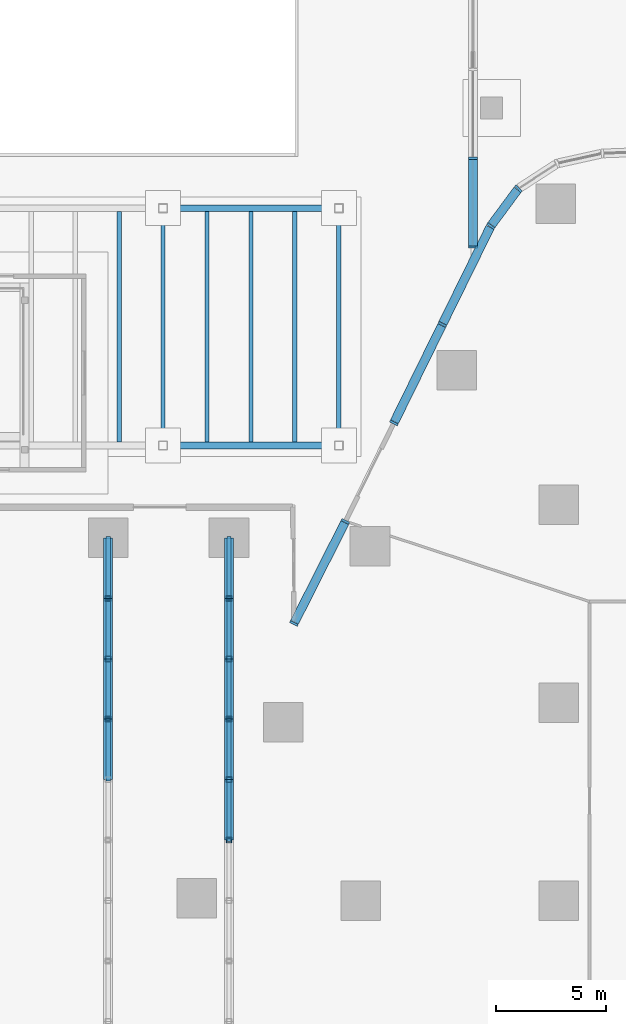
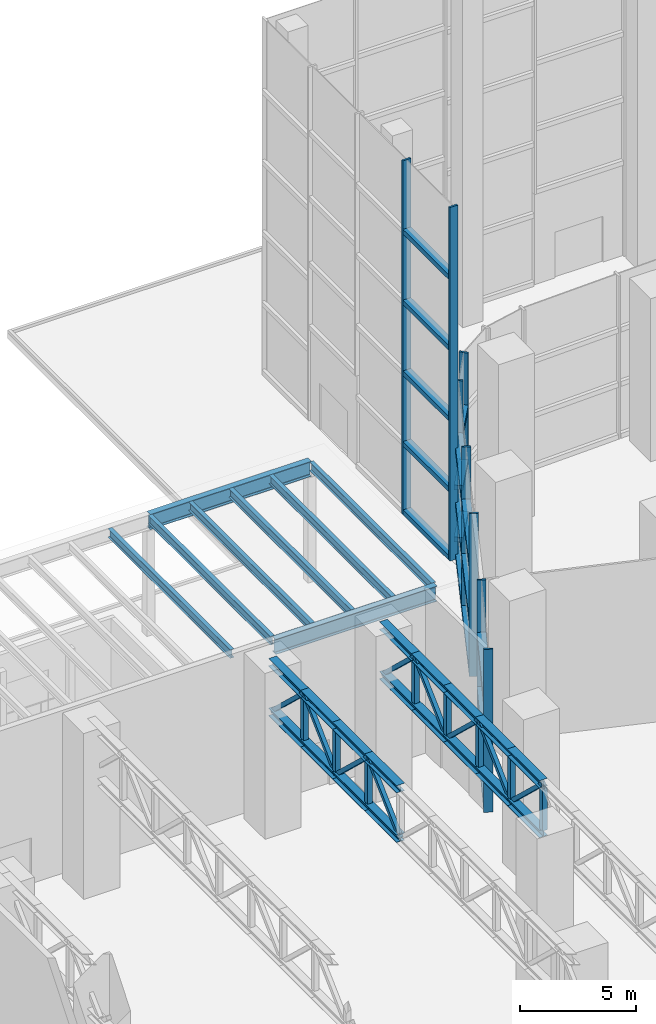
# One storey, part 15 of 40: 60 members, 8 beams, 4 elements without a shape of their own.
"""IFC4 building model written with IfcOpenShell, lengths in metres."""

from ifc_helpers import new_model, si_unit, direction, frame, origin, origin_2d, place, context, subcontext, project, spatial, rectangle, hollow_rectangle, i_section, extrude, material, layer, layer_set, material_profile, profile_set, type_object, element, aggregate, save


model = new_model("IFC4")

# Units and contexts
model_context = context("Model", 3, precision=1e-05, world=origin(), true_north=direction((0.0, 1.0)))
body_context = subcontext(model_context, "Body", "Model", "MODEL_VIEW")
ifc_project = project(units=[si_unit("LENGTHUNIT", "METRE"), si_unit("AREAUNIT", "SQUARE_METRE"), si_unit("VOLUMEUNIT", "CUBIC_METRE"), si_unit("PLANEANGLEUNIT", "RADIAN"), si_unit("MASSUNIT", "GRAM", prefix="KILO")], contexts=[model_context])

# Site, building, storey
site_placement = place(None, origin())
site = spatial("IfcSite", under=ifc_project, at=site_placement, CompositionType="ELEMENT")
building_placement = place(site_placement, origin())
building = spatial("IfcBuilding", under=site, at=building_placement, Name="Dongbaek Canopy Tower", CompositionType="ELEMENT")
storey_placement = place(building_placement, origin())
storey = spatial("IfcBuildingStorey", under=building, at=storey_placement, Name="L00", CompositionType="ELEMENT", Elevation=0.0)

# Members
ifc_material_1 = material(Name="Steel S355", Category="steel")
ifc_material_profile_1 = material_profile(ifc_material_1, hollow_rectangle(XDim=0.199951171875, YDim=0.199951171875, WallThickness=0.009033203125, at=origin_2d()), Name="BRACE SHS 200x200x9 Steel S355")
ifc_profile_set_1 = profile_set([ifc_material_profile_1], Name="Steel S355")
member_type_1 = type_object("IfcMemberType", Name="BRACE SHS 200x200x9 Steel S355", PredefinedType="BRACE", material=ifc_profile_set_1)
for number, where, z_axis, x_axis, name in (
    (1, (-38.5, 5.5, 5.89990234375), (0.0, 0.726633772729, 0.687025007063), (-1.0, 0.0, 0.0), "ROOFTRUSS:WW:2:D8"),
    (2, (-38.5, 8.25, 8.5), (0.0, 0.726633772729, -0.687025007063), (-1.0, 0.0, 0.0), "ROOFTRUSS:WW:2:D9"),
    (3, (-38.5, 11.0, 5.89990234375), (0.0, 0.726633772729, 0.687025007063), (-1.0, 0.0, 0.0), "ROOFTRUSS:WW:2:D10"),
    (4, (-38.5, 13.75, 8.5), (0.0, 0.726633772729, -0.687025007063), (-1.0, 0.0, 0.0), "ROOFTRUSS:WW:2:D11"),
    (5, (-33.0, 2.75, 8.5), (0.0, 0.726633772729, -0.687025007063), (-1.0, 0.0, 0.0), "ROOFTRUSS:WW:3:D7"),
    (6, (-33.0, 5.5, 5.89990234375), (0.0, 0.726633772729, 0.687025007063), (-1.0, 0.0, 0.0), "ROOFTRUSS:WW:3:D8"),
    (7, (-33.0, 8.25, 8.5), (0.0, 0.726633772729, -0.687025007063), (-1.0, 0.0, 0.0), "ROOFTRUSS:WW:3:D9"),
    (8, (-33.0, 11.0, 5.89990234375), (0.0, 0.726633772729, 0.687025007063), (-1.0, 0.0, 0.0), "ROOFTRUSS:WW:3:D10"),
    (9, (-33.0, 13.75, 8.5), (0.0, 0.726633772729, -0.687025007063), (-1.0, 0.0, 0.0), "ROOFTRUSS:WW:3:D11"),
):
    element("IfcMember", number, at=place(storey_placement, frame(where, z_axis=z_axis, x_axis=x_axis)), inside=storey, type_object=member_type_1, Name=name, PredefinedType="BRACE", context=body_context, shape_type="SweptSolid", body=[
        extrude(hollow_rectangle(XDim=0.199951171875, YDim=0.199951171875, WallThickness=0.009033203125, at=origin_2d()), origin(), (0.0, 0.0, 1.0), 3.78466796875),
    ])
ifc_material_2 = material(Name="Steel S355", Category="steel")
ifc_material_profile_2 = material_profile(ifc_material_2, i_section(OverallWidth=0.39990234375, OverallDepth=0.39990234375, WebThickness=0.012939453125, FlangeThickness=0.02099609375, FilletRadius=0.02197265625, at=origin_2d()), Name="CHORD H 400x400x13x21 Steel S355")
ifc_profile_set_2 = profile_set([ifc_material_profile_2], Name="Steel S355")
member_type_2 = type_object("IfcMemberType", Name="CHORD H 400x400x13x21 Steel S355", PredefinedType="CHORD", material=ifc_profile_set_2)
for number, where, z_axis, x_axis, name in (
    (10, (-38.5, 5.5, 5.89990234375), (0.0, 1.0, 0.0), (-1.0, 0.0, 0.0), "ROOFTRUSS:WW:2:CB8"),
    (11, (-38.5, 5.5, 8.5), (0.0, 1.0, 0.0), (-1.0, 0.0, 0.0), "ROOFTRUSS:WW:2:CT8"),
    (12, (-38.5, 8.25, 5.89990234375), (0.0, 1.0, 0.0), (-1.0, 0.0, 0.0), "ROOFTRUSS:WW:2:CB9"),
    (13, (-38.5, 8.25, 8.5), (0.0, 1.0, 0.0), (-1.0, 0.0, 0.0), "ROOFTRUSS:WW:2:CT9"),
    (14, (-38.5, 11.0, 5.89990234375), (0.0, 1.0, 0.0), (-1.0, 0.0, 0.0), "ROOFTRUSS:WW:2:CB10"),
    (15, (-38.5, 11.0, 8.5), (0.0, 1.0, 0.0), (-1.0, 0.0, 0.0), "ROOFTRUSS:WW:2:CT10"),
    (16, (-38.5, 13.75, 5.89990234375), (0.0, 1.0, 0.0), (-1.0, 0.0, 0.0), "ROOFTRUSS:WW:2:CB11"),
    (17, (-38.5, 13.75, 8.5), (0.0, 1.0, 0.0), (-1.0, 0.0, 0.0), "ROOFTRUSS:WW:2:CT11"),
    (18, (-33.0, 2.75, 5.89990234375), (0.0, 1.0, 0.0), (-1.0, 0.0, 0.0), "ROOFTRUSS:WW:3:CB7"),
    (19, (-33.0, 2.75, 8.5), (0.0, 1.0, 0.0), (-1.0, 0.0, 0.0), "ROOFTRUSS:WW:3:CT7"),
    (20, (-33.0, 5.5, 5.89990234375), (0.0, 1.0, 0.0), (-1.0, 0.0, 0.0), "ROOFTRUSS:WW:3:CB8"),
    (21, (-33.0, 5.5, 8.5), (0.0, 1.0, 0.0), (-1.0, 0.0, 0.0), "ROOFTRUSS:WW:3:CT8"),
    (22, (-33.0, 8.25, 5.89990234375), (0.0, 1.0, 0.0), (-1.0, 0.0, 0.0), "ROOFTRUSS:WW:3:CB9"),
    (23, (-33.0, 8.25, 8.5), (0.0, 1.0, 0.0), (-1.0, 0.0, 0.0), "ROOFTRUSS:WW:3:CT9"),
    (24, (-33.0, 11.0, 5.89990234375), (0.0, 1.0, 0.0), (-1.0, 0.0, 0.0), "ROOFTRUSS:WW:3:CB10"),
    (25, (-33.0, 11.0, 8.5), (0.0, 1.0, 0.0), (-1.0, 0.0, 0.0), "ROOFTRUSS:WW:3:CT10"),
    (26, (-33.0, 13.75, 5.89990234375), (0.0, 1.0, 0.0), (-1.0, 0.0, 0.0), "ROOFTRUSS:WW:3:CB11"),
    (27, (-33.0, 13.75, 8.5), (0.0, 1.0, 0.0), (-1.0, 0.0, 0.0), "ROOFTRUSS:WW:3:CT11"),
):
    element("IfcMember", number, at=place(storey_placement, frame(where, z_axis=z_axis, x_axis=x_axis)), inside=storey, type_object=member_type_2, Name=name, PredefinedType="CHORD", context=body_context, shape_type="SweptSolid", body=[
        extrude(i_section(OverallWidth=0.39990234375, OverallDepth=0.39990234375, WebThickness=0.012939453125, FlangeThickness=0.02099609375, FilletRadius=0.02197265625, at=origin_2d()), origin(), (0.0, 0.0, 1.0), 2.75),
    ])

# Curtain wall, members
ifc_material_3 = material(Name="Aluminium 6063-T6 pale anodised", Category="aluminium")
ifc_layer = layer(ifc_material_3, 0.39990234375)
ifc_layer_set = layer_set([ifc_layer], Name="CW-3 lobby double-height curtain wall")
curtain_wall_type = type_object("IfcCurtainWallType", Name="CW-3 lobby double-height curtain wall", PredefinedType="NOTDEFINED", material=ifc_layer_set)
curtain_wall_1_placement = place(storey_placement, origin())
curtain_wall_1 = element("IfcCurtainWall", 28, at=curtain_wall_1_placement, inside=storey, type_object=curtain_wall_type, Name="CW-3 curtain wall K2.1", PredefinedType="NOTDEFINED")
ifc_material_4 = material(Name="Aluminium 6063-T6 pale anodised", Category="aluminium")
ifc_material_profile_3 = material_profile(ifc_material_4, rectangle(XDim=0.39990234375, YDim=0.10009765625, at=origin_2d()), Name="CW-3 mullion 100 x 400")
ifc_profile_set_3 = profile_set([ifc_material_profile_3], Name="Aluminium 6063-T6 pale anodised")
member_type_3 = type_object("IfcMemberType", Name="CW-3 mullion 100 x 400", PredefinedType="MULLION", material=ifc_profile_set_3)
member_1_placement = place(storey_placement, frame((-19.838134765625, 32.384033203125, 0.0), z_axis=(0.0, 0.0, 1.0), x_axis=(-0.685445734799, 0.728123715207, 0.0)))
member_1 = element("IfcMember", 29, at=member_1_placement, type_object=member_type_3, Name="CW-3 mullion K2.1.3", PredefinedType="MULLION", context=body_context, shape_type="SweptSolid", body=[
    extrude(rectangle(XDim=0.39990234375, YDim=0.10009765625, at=origin_2d()), origin(), (0.0, 0.0, 1.0), 8.550048828125),
])
member_2_placement = place(storey_placement, frame((-21.093505859375, 30.685302734375, 0.0), z_axis=(0.0, 0.0, 1.0), x_axis=(-0.804277971373, 0.594253266515, 0.0)))
member_2 = element("IfcMember", 30, at=member_2_placement, type_object=member_type_3, Name="CW-3 mullion K2.1.4", PredefinedType="MULLION", context=body_context, shape_type="SweptSolid", body=[
    extrude(rectangle(XDim=0.39990234375, YDim=0.10009765625, at=origin_2d()), origin(), (0.0, 0.0, 1.0), 8.550048828125),
])

curtain_wall_2_placement = place(storey_placement, origin())
curtain_wall_2 = element("IfcCurtainWall", 31, at=curtain_wall_2_placement, inside=storey, type_object=curtain_wall_type, Name="CW-3 curtain wall F7.1", PredefinedType="NOTDEFINED")
member_3_placement = place(storey_placement, frame((-23.294677734375, 26.209716796875, 0.0), z_axis=(0.0, 0.0, 1.0), x_axis=(-0.897339169619, 0.441341607677, 0.0)))
member_3 = element("IfcMember", 32, at=member_3_placement, type_object=member_type_3, Name="CW-3 mullion F7.1.2", PredefinedType="MULLION", context=body_context, shape_type="SweptSolid", body=[
    extrude(rectangle(XDim=0.39990234375, YDim=0.10009765625, at=origin_2d()), origin(), (0.0, 0.0, 1.0), 8.550048828125),
])
member_4_placement = place(storey_placement, frame((-25.499755859375, 21.72607421875, 0.0), z_axis=(0.0, 0.0, 1.0), x_axis=(-0.897339169619, 0.441341607677, 0.0)))
member_4 = element("IfcMember", 33, at=member_4_placement, type_object=member_type_3, Name="CW-3 mullion F7.1.3", PredefinedType="MULLION", context=body_context, shape_type="SweptSolid", body=[
    extrude(rectangle(XDim=0.39990234375, YDim=0.10009765625, at=origin_2d()), origin(), (0.0, 0.0, 1.0), 8.550048828125),
])

curtain_wall_3_placement = place(storey_placement, origin())
curtain_wall_3 = element("IfcCurtainWall", 34, at=curtain_wall_3_placement, inside=storey, type_object=curtain_wall_type, Name="CW-3 curtain wall F7.2", PredefinedType="NOTDEFINED")
member_5_placement = place(storey_placement, frame((-27.705078125, 17.242431640625, 0.0), z_axis=(0.0, 0.0, 1.0), x_axis=(-0.892640437575, 0.450769396927, 0.0)))
member_5 = element("IfcMember", 35, at=member_5_placement, type_object=member_type_3, Name="CW-3 mullion F7.2.1", PredefinedType="MULLION", context=body_context, shape_type="SweptSolid", body=[
    extrude(rectangle(XDim=0.39990234375, YDim=0.10009765625, at=origin_2d()), origin(), (0.0, 0.0, 1.0), 8.550048828125),
])
member_6_placement = place(storey_placement, frame((-30.04541015625, 12.608154296875, 0.0), z_axis=(0.0, 0.0, 1.0), x_axis=(-0.892640437575, 0.450769396927, 0.0)))
member_6 = element("IfcMember", 36, at=member_6_placement, type_object=member_type_3, Name="CW-3 mullion F7.2.2", PredefinedType="MULLION", context=body_context, shape_type="SweptSolid", body=[
    extrude(rectangle(XDim=0.39990234375, YDim=0.10009765625, at=origin_2d()), origin(), (0.0, 0.0, 1.0), 8.550048828125),
])

curtain_wall_4_placement = place(storey_placement, origin())
curtain_wall_4 = element("IfcCurtainWall", 37, at=curtain_wall_4_placement, inside=storey, type_object=curtain_wall_type, Name="CW-3 curtain wall HNW.2", PredefinedType="NOTDEFINED")
member_7_placement = place(storey_placement, frame((-21.89990234375, 33.768798828125, 0.0), z_axis=(0.0, 0.0, 1.0), x_axis=(-1.0, 0.0, 0.0)))
member_7 = element("IfcMember", 38, at=member_7_placement, type_object=member_type_3, Name="CW-3 mullion HNW.2.2", PredefinedType="MULLION", context=body_context, shape_type="SweptSolid", body=[
    extrude(rectangle(XDim=0.39990234375, YDim=0.10009765625, at=origin_2d()), origin(), (0.0, 0.0, 1.0), 18.550048828125),
])
member_8_placement = place(storey_placement, frame((-21.89990234375, 29.72509765625, 0.0), z_axis=(0.0, 0.0, 1.0), x_axis=(-1.0, 0.0, 0.0)))
member_8 = element("IfcMember", 39, at=member_8_placement, type_object=member_type_3, Name="CW-3 mullion HNW.2.3", PredefinedType="MULLION", context=body_context, shape_type="SweptSolid", body=[
    extrude(rectangle(XDim=0.39990234375, YDim=0.10009765625, at=origin_2d()), origin(), (0.0, 0.0, 1.0), 18.550048828125),
])

# Member
ifc_material_5 = material(Name="Aluminium 6063-T6 pale anodised", Category="aluminium")
ifc_material_profile_4 = material_profile(ifc_material_5, rectangle(XDim=0.39990234375, YDim=0.25, at=origin_2d()), Name="CW-3 transom 250 x 400")
ifc_profile_set_4 = profile_set([ifc_material_profile_4], Name="Aluminium 6063-T6 pale anodised")
member_type_4 = type_object("IfcMemberType", Name="CW-3 transom 250 x 400", PredefinedType="USERDEFINED", material=ifc_profile_set_4)
member_9_placement = place(storey_placement, frame((-19.875, 32.334228515625, 0.125), z_axis=(-0.594287483046, -0.804252688833, 0.0), x_axis=(0.804252688833, -0.594287483046, 0.0)))
member_9 = element("IfcMember", 40, at=member_9_placement, type_object=member_type_4, Name="CW-3 transom K2.1.3.1", ObjectType="TRANSOM", PredefinedType="USERDEFINED", context=body_context, shape_type="SweptSolid", body=[
    extrude(rectangle(XDim=0.39990234375, YDim=0.25, at=origin_2d()), origin(), (0.0, 0.0, 1.0), 1.98828125),
])

member_10_placement = place(storey_placement, frame((-19.875, 32.334228515625, 2.85009765625), z_axis=(-0.594287483046, -0.804252688833, 0.0), x_axis=(0.804252688833, -0.594287483046, 0.0)))
member_10 = element("IfcMember", 41, at=member_10_placement, type_object=member_type_4, Name="CW-3 transom K2.1.3.2", ObjectType="TRANSOM", PredefinedType="USERDEFINED", context=body_context, shape_type="SweptSolid", body=[
    extrude(rectangle(XDim=0.39990234375, YDim=0.25, at=origin_2d()), origin(), (0.0, 0.0, 1.0), 1.98828125),
])

member_11_placement = place(storey_placement, frame((-19.875, 32.334228515625, 5.699951171875), z_axis=(-0.594287483046, -0.804252688833, 0.0), x_axis=(0.804252688833, -0.594287483046, 0.0)))
member_11 = element("IfcMember", 42, at=member_11_placement, type_object=member_type_4, Name="CW-3 transom K2.1.3.3", ObjectType="TRANSOM", PredefinedType="USERDEFINED", context=body_context, shape_type="SweptSolid", body=[
    extrude(rectangle(XDim=0.39990234375, YDim=0.25, at=origin_2d()), origin(), (0.0, 0.0, 1.0), 1.98828125),
])

aggregate(curtain_wall_1, [member_1, member_2, member_9, member_10, member_11])

member_12_placement = place(storey_placement, frame((-21.120849609375, 30.629638671875, 0.125), z_axis=(-0.441340859957, -0.897339537373, 0.0), x_axis=(0.897339537373, -0.441340859957, 0.0)))
member_12 = element("IfcMember", 43, at=member_12_placement, type_object=member_type_4, Name="CW-3 transom F7.1.1.1", ObjectType="TRANSOM", PredefinedType="USERDEFINED", context=body_context, shape_type="SweptSolid", body=[
    extrude(rectangle(XDim=0.39990234375, YDim=0.25, at=origin_2d()), origin(), (0.0, 0.0, 1.0), 4.863525390625),
])

member_13_placement = place(storey_placement, frame((-21.120849609375, 30.629638671875, 2.85009765625), z_axis=(-0.441340859957, -0.897339537373, 0.0), x_axis=(0.897339537373, -0.441340859957, 0.0)))
member_13 = element("IfcMember", 44, at=member_13_placement, type_object=member_type_4, Name="CW-3 transom F7.1.1.2", ObjectType="TRANSOM", PredefinedType="USERDEFINED", context=body_context, shape_type="SweptSolid", body=[
    extrude(rectangle(XDim=0.39990234375, YDim=0.25, at=origin_2d()), origin(), (0.0, 0.0, 1.0), 4.863525390625),
])

member_14_placement = place(storey_placement, frame((-21.120849609375, 30.629638671875, 5.699951171875), z_axis=(-0.441340859957, -0.897339537373, 0.0), x_axis=(0.897339537373, -0.441340859957, 0.0)))
member_14 = element("IfcMember", 45, at=member_14_placement, type_object=member_type_4, Name="CW-3 transom F7.1.1.3", ObjectType="TRANSOM", PredefinedType="USERDEFINED", context=body_context, shape_type="SweptSolid", body=[
    extrude(rectangle(XDim=0.39990234375, YDim=0.25, at=origin_2d()), origin(), (0.0, 0.0, 1.0), 4.863525390625),
])

member_15_placement = place(storey_placement, frame((-23.322021484375, 26.154052734375, 0.125), z_axis=(-0.441331561106, -0.897344110791, 0.0), x_axis=(0.897344110791, -0.441331561106, 0.0)))
member_15 = element("IfcMember", 46, at=member_15_placement, type_object=member_type_4, Name="CW-3 transom F7.1.2.1", ObjectType="TRANSOM", PredefinedType="USERDEFINED", context=body_context, shape_type="SweptSolid", body=[
    extrude(rectangle(XDim=0.39990234375, YDim=0.25, at=origin_2d()), origin(), (0.0, 0.0, 1.0), 4.87255859375),
])

member_16_placement = place(storey_placement, frame((-23.322021484375, 26.154052734375, 2.85009765625), z_axis=(-0.441331561106, -0.897344110791, 0.0), x_axis=(0.897344110791, -0.441331561106, 0.0)))
member_16 = element("IfcMember", 47, at=member_16_placement, type_object=member_type_4, Name="CW-3 transom F7.1.2.2", ObjectType="TRANSOM", PredefinedType="USERDEFINED", context=body_context, shape_type="SweptSolid", body=[
    extrude(rectangle(XDim=0.39990234375, YDim=0.25, at=origin_2d()), origin(), (0.0, 0.0, 1.0), 4.87255859375),
])

member_17_placement = place(storey_placement, frame((-23.322021484375, 26.154052734375, 5.699951171875), z_axis=(-0.441331561106, -0.897344110791, 0.0), x_axis=(0.897344110791, -0.441331561106, 0.0)))
member_17 = element("IfcMember", 48, at=member_17_placement, type_object=member_type_4, Name="CW-3 transom F7.1.2.3", ObjectType="TRANSOM", PredefinedType="USERDEFINED", context=body_context, shape_type="SweptSolid", body=[
    extrude(rectangle(XDim=0.39990234375, YDim=0.25, at=origin_2d()), origin(), (0.0, 0.0, 1.0), 4.87255859375),
])

aggregate(curtain_wall_2, [member_3, member_4, member_12, member_13, member_14, member_15, member_16, member_17])

member_18_placement = place(storey_placement, frame((-27.73291015625, 17.18701171875, 0.125), z_axis=(-0.450775005328, -0.892637605399, 0.0), x_axis=(0.892637605399, -0.450775005328, 0.0)))
member_18 = element("IfcMember", 49, at=member_18_placement, type_object=member_type_4, Name="CW-3 transom F7.2.1.1", ObjectType="TRANSOM", PredefinedType="USERDEFINED", context=body_context, shape_type="SweptSolid", body=[
    extrude(rectangle(XDim=0.39990234375, YDim=0.25, at=origin_2d()), origin(), (0.0, 0.0, 1.0), 5.06787109375),
])

member_19_placement = place(storey_placement, frame((-27.73291015625, 17.18701171875, 2.85009765625), z_axis=(-0.450775005328, -0.892637605399, 0.0), x_axis=(0.892637605399, -0.450775005328, 0.0)))
member_19 = element("IfcMember", 50, at=member_19_placement, type_object=member_type_4, Name="CW-3 transom F7.2.1.2", ObjectType="TRANSOM", PredefinedType="USERDEFINED", context=body_context, shape_type="SweptSolid", body=[
    extrude(rectangle(XDim=0.39990234375, YDim=0.25, at=origin_2d()), origin(), (0.0, 0.0, 1.0), 5.06787109375),
])

member_20_placement = place(storey_placement, frame((-27.73291015625, 17.18701171875, 5.699951171875), z_axis=(-0.450775005328, -0.892637605399, 0.0), x_axis=(0.892637605399, -0.450775005328, 0.0)))
member_20 = element("IfcMember", 51, at=member_20_placement, type_object=member_type_4, Name="CW-3 transom F7.2.1.3", ObjectType="TRANSOM", PredefinedType="USERDEFINED", context=body_context, shape_type="SweptSolid", body=[
    extrude(rectangle(XDim=0.39990234375, YDim=0.25, at=origin_2d()), origin(), (0.0, 0.0, 1.0), 5.06787109375),
])

aggregate(curtain_wall_3, [member_5, member_6, member_18, member_19, member_20])

member_21_placement = place(storey_placement, frame((-21.89990234375, 33.706787109375, 0.125), z_axis=(0.0, -1.0, 0.0), x_axis=(1.0, 0.0, 0.0)))
member_21 = element("IfcMember", 52, at=member_21_placement, type_object=member_type_4, Name="CW-3 transom HNW.2.2.1", ObjectType="TRANSOM", PredefinedType="USERDEFINED", context=body_context, shape_type="SweptSolid", body=[
    extrude(rectangle(XDim=0.39990234375, YDim=0.25, at=origin_2d()), origin(), (0.0, 0.0, 1.0), 3.919921875),
])

member_22_placement = place(storey_placement, frame((-21.89990234375, 33.706787109375, 3.7099609375), z_axis=(0.0, -1.0, 0.0), x_axis=(1.0, 0.0, 0.0)))
member_22 = element("IfcMember", 53, at=member_22_placement, type_object=member_type_4, Name="CW-3 transom HNW.2.2.2", ObjectType="TRANSOM", PredefinedType="USERDEFINED", context=body_context, shape_type="SweptSolid", body=[
    extrude(rectangle(XDim=0.39990234375, YDim=0.25, at=origin_2d()), origin(), (0.0, 0.0, 1.0), 3.919921875),
])

member_23_placement = place(storey_placement, frame((-21.89990234375, 33.706787109375, 7.419921875), z_axis=(0.0, -1.0, 0.0), x_axis=(1.0, 0.0, 0.0)))
member_23 = element("IfcMember", 54, at=member_23_placement, type_object=member_type_4, Name="CW-3 transom HNW.2.2.3", ObjectType="TRANSOM", PredefinedType="USERDEFINED", context=body_context, shape_type="SweptSolid", body=[
    extrude(rectangle(XDim=0.39990234375, YDim=0.25, at=origin_2d()), origin(), (0.0, 0.0, 1.0), 3.919921875),
])

member_24_placement = place(storey_placement, frame((-21.89990234375, 33.706787109375, 11.1298828125), z_axis=(0.0, -1.0, 0.0), x_axis=(1.0, 0.0, 0.0)))
member_24 = element("IfcMember", 55, at=member_24_placement, type_object=member_type_4, Name="CW-3 transom HNW.2.2.4", ObjectType="TRANSOM", PredefinedType="USERDEFINED", context=body_context, shape_type="SweptSolid", body=[
    extrude(rectangle(XDim=0.39990234375, YDim=0.25, at=origin_2d()), origin(), (0.0, 0.0, 1.0), 3.919921875),
])

member_25_placement = place(storey_placement, frame((-21.89990234375, 33.706787109375, 14.840087890625), z_axis=(0.0, -1.0, 0.0), x_axis=(1.0, 0.0, 0.0)))
member_25 = element("IfcMember", 56, at=member_25_placement, type_object=member_type_4, Name="CW-3 transom HNW.2.2.5", ObjectType="TRANSOM", PredefinedType="USERDEFINED", context=body_context, shape_type="SweptSolid", body=[
    extrude(rectangle(XDim=0.39990234375, YDim=0.25, at=origin_2d()), origin(), (0.0, 0.0, 1.0), 3.919921875),
])

aggregate(curtain_wall_4, [member_7, member_8, member_21, member_22, member_23, member_24, member_25])

# Members
ifc_material_6 = material(Name="Steel S355", Category="steel")
ifc_material_profile_5 = material_profile(ifc_material_6, hollow_rectangle(XDim=0.25, YDim=0.25, WallThickness=0.011962890625, at=origin_2d()), Name="POST SHS 250x250x12 Steel S355")
ifc_profile_set_5 = profile_set([ifc_material_profile_5], Name="Steel S355")
member_type_5 = type_object("IfcMemberType", Name="POST SHS 250x250x12 Steel S355", PredefinedType="POST", material=ifc_profile_set_5)
for number, where, z_axis, x_axis, name in (
    (57, (-38.5, 8.25, 6.10009765625), (0.0, 0.0, 1.0), (1.0, 0.0, 0.0), "ROOFTRUSS:WW:2:P9"),
    (58, (-38.5, 11.0, 6.10009765625), (0.0, 0.0, 1.0), (1.0, 0.0, 0.0), "ROOFTRUSS:WW:2:P10"),
    (59, (-38.5, 13.75, 6.10009765625), (0.0, 0.0, 1.0), (1.0, 0.0, 0.0), "ROOFTRUSS:WW:2:P11"),
    (60, (-33.0, 2.75, 6.10009765625), (0.0, 0.0, 1.0), (1.0, 0.0, 0.0), "ROOFTRUSS:WW:3:P7"),
    (61, (-33.0, 5.5, 6.10009765625), (0.0, 0.0, 1.0), (1.0, 0.0, 0.0), "ROOFTRUSS:WW:3:P8"),
    (62, (-33.0, 8.25, 6.10009765625), (0.0, 0.0, 1.0), (1.0, 0.0, 0.0), "ROOFTRUSS:WW:3:P9"),
    (63, (-33.0, 11.0, 6.10009765625), (0.0, 0.0, 1.0), (1.0, 0.0, 0.0), "ROOFTRUSS:WW:3:P10"),
    (64, (-33.0, 13.75, 6.10009765625), (0.0, 0.0, 1.0), (1.0, 0.0, 0.0), "ROOFTRUSS:WW:3:P11"),
):
    element("IfcMember", number, at=place(storey_placement, frame(where, z_axis=z_axis, x_axis=x_axis)), inside=storey, type_object=member_type_5, Name=name, PredefinedType="POST", context=body_context, shape_type="SweptSolid", body=[
        extrude(hollow_rectangle(XDim=0.25, YDim=0.25, WallThickness=0.011962890625, at=origin_2d()), origin(), (0.0, 0.0, 1.0), 2.199951171875),
    ])

# Beams
ifc_material_7 = material(Name="Steel S355", Category="steel")
ifc_material_profile_6 = material_profile(ifc_material_7, i_section(OverallWidth=0.199951171875, OverallDepth=0.449951171875, WebThickness=0.009033203125, FlangeThickness=0.013916015625, FilletRadius=0.01806640625, at=origin_2d()), Name="STATION CANOPY BEAM 450x200x9x14 Steel S355")
ifc_profile_set_6 = profile_set([ifc_material_profile_6], Name="Steel S355")
beam_type_1 = type_object("IfcBeamType", Name="STATION CANOPY BEAM 450x200x9x14 Steel S355", PredefinedType="BEAM", material=ifc_profile_set_6)
for number, where, z_axis, x_axis, name in (
    (65, (-38.0, 20.85009765625, 6.074951171875), (0.0, 1.0, 0.0), (-1.0, 0.0, 0.0), "Station canopy B beam 12"),
    (66, (-36.0, 20.85009765625, 6.074951171875), (0.0, 1.0, 0.0), (-1.0, 0.0, 0.0), "Station canopy B beam 13"),
    (67, (-34.0, 20.85009765625, 6.074951171875), (0.0, 1.0, 0.0), (-1.0, 0.0, 0.0), "Station canopy B beam 14"),
    (68, (-32.0, 20.85009765625, 6.074951171875), (0.0, 1.0, 0.0), (-1.0, 0.0, 0.0), "Station canopy B beam 15"),
    (69, (-30.0, 20.85009765625, 6.074951171875), (0.0, 1.0, 0.0), (-1.0, 0.0, 0.0), "Station canopy B beam 16"),
    (70, (-28.0, 20.85009765625, 6.074951171875), (0.0, 1.0, 0.0), (-1.0, 0.0, 0.0), "Station canopy B beam 17"),
):
    element("IfcBeam", number, at=place(storey_placement, frame(where, z_axis=z_axis, x_axis=x_axis)), inside=storey, type_object=beam_type_1, Name=name, PredefinedType="BEAM", context=body_context, shape_type="SweptSolid", body=[
        extrude(i_section(OverallWidth=0.199951171875, OverallDepth=0.449951171875, WebThickness=0.009033203125, FlangeThickness=0.013916015625, FilletRadius=0.01806640625, at=origin_2d()), origin(), (0.0, 0.0, 1.0), 10.5),
    ])
ifc_material_8 = material(Name="Steel S355", Category="steel")
ifc_material_profile_7 = material_profile(ifc_material_8, i_section(OverallWidth=0.300048828125, OverallDepth=0.800048828125, WebThickness=0.013916015625, FlangeThickness=0.02587890625, FilletRadius=0.028076171875, at=origin_2d()), Name="STATION CANOPY GIRDER 800x300x14x26 Steel S355")
ifc_profile_set_7 = profile_set([ifc_material_profile_7], Name="Steel S355")
beam_type_2 = type_object("IfcBeamType", Name="STATION CANOPY GIRDER 800x300x14x26 Steel S355", PredefinedType="BEAM", material=ifc_profile_set_7)
for number, where, z_axis, x_axis, name in (
    (71, (-36.0, 20.699951171875, 5.89990234375), (1.0, 0.0, 0.0), (0.0, 1.0, 0.0), "Station canopy B girder 3"),
    (72, (-36.0, 31.5, 5.89990234375), (1.0, 0.0, 0.0), (0.0, 1.0, 0.0), "Station canopy B girder 6"),
):
    element("IfcBeam", number, at=place(storey_placement, frame(where, z_axis=z_axis, x_axis=x_axis)), inside=storey, type_object=beam_type_2, Name=name, PredefinedType="BEAM", context=body_context, shape_type="SweptSolid", body=[
        extrude(i_section(OverallWidth=0.300048828125, OverallDepth=0.800048828125, WebThickness=0.013916015625, FlangeThickness=0.02587890625, FilletRadius=0.028076171875, at=origin_2d()), origin(), (0.0, 0.0, 1.0), 8.0),
    ])

save(model, "model.ifc")
